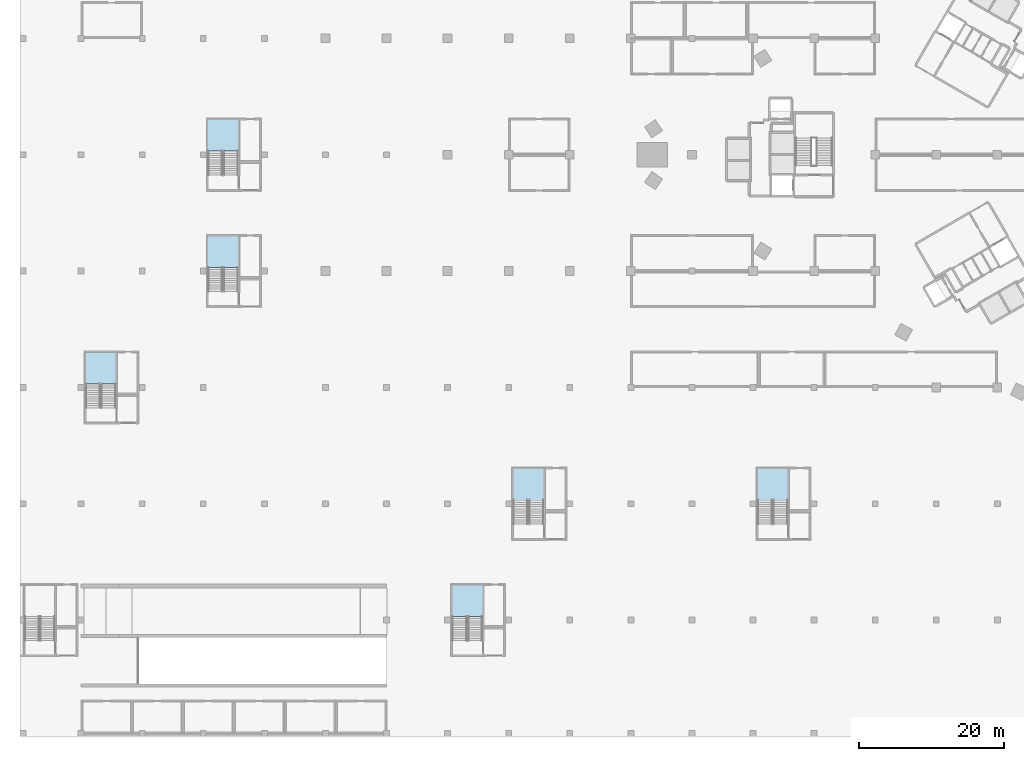
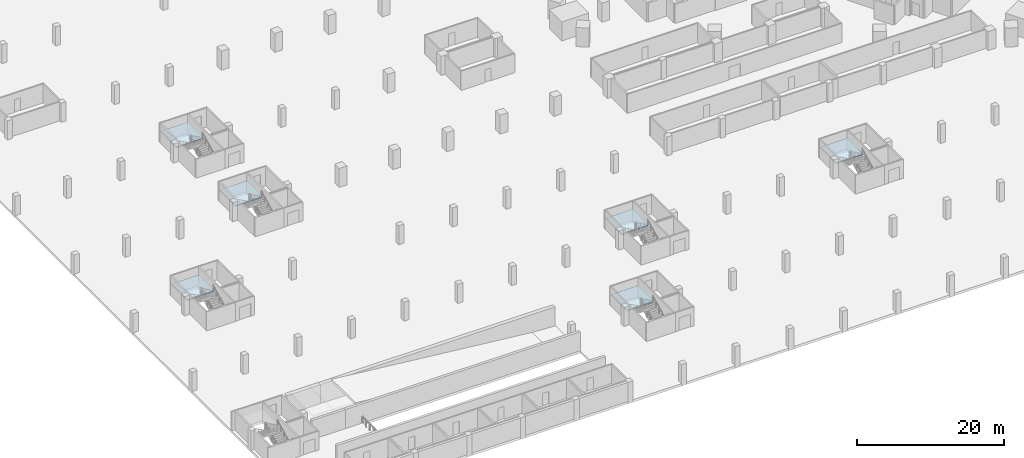
# One storey, part 2 of 37: 6 slabs, 6 elements without a shape of their own.
"""IFC4 building model written with IfcOpenShell, lengths in metres."""

from ifc_helpers import new_model, si_unit, direction, frame, origin, place, context, subcontext, project, spatial, polyline, outline, extrude, material, layer, layer_set, type_object, element, aggregate, save


model = new_model("IFC4")

# Units and contexts
model_context = context("Model", 3, precision=1e-05, world=origin(), true_north=direction((0.0, 1.0)))
body_context = subcontext(model_context, "Body", "Model", "MODEL_VIEW")
ifc_project = project(units=[si_unit("LENGTHUNIT", "METRE"), si_unit("AREAUNIT", "SQUARE_METRE"), si_unit("VOLUMEUNIT", "CUBIC_METRE"), si_unit("PLANEANGLEUNIT", "RADIAN"), si_unit("MASSUNIT", "GRAM", prefix="KILO")], contexts=[model_context])

# Site, building, storey
site_placement = place(None, origin())
site = spatial("IfcSite", under=ifc_project, at=site_placement, CompositionType="ELEMENT")
building_placement = place(site_placement, origin())
building = spatial("IfcBuilding", under=site, at=building_placement, Name="Tamra Quay Hotel Tower", CompositionType="ELEMENT")
storey_placement = place(building_placement, frame((0.0, 0.0, -3.60009765625)))
storey = spatial("IfcBuildingStorey", under=building, at=storey_placement, Name="B1", CompositionType="ELEMENT", Elevation=-3.60009765625)

# Stair, slab
ifc_material_1 = material(Name="Basement exit stair")
stair_type = type_object("IfcStairType", Name="Basement exit stair", PredefinedType="HALF_TURN_STAIR", material=ifc_material_1)
stair_1_placement = place(storey_placement, origin())
stair_1 = element("IfcStair", 1, at=stair_1_placement, inside=storey, type_object=stair_type, Name="B1 Basement Exit Stair BS1", PredefinedType="HALF_TURN_STAIR")
ifc_material_2 = material(Name="Concrete M60", Category="concrete")
ifc_layer = layer(ifc_material_2, 0.199951171875)
ifc_layer_set = layer_set([ifc_layer], Name="Concrete M60 basement stair landing 200")
slab_type = type_object("IfcSlabType", Name="Concrete M60 basement stair landing 200", PredefinedType="LANDING", material=ifc_layer_set)
slab_1_placement = place(storey_placement, frame((0.0, 0.0, 1.60009765625)))
slab_1 = element("IfcSlab", 2, at=slab_1_placement, type_object=slab_type, Name="BS1 landing 1", PredefinedType="LANDING", context=body_context, shape_type="SweptSolid", body=[
    extrude(outline(polyline([(-109.449951171875, -31.52001953125), (-109.449951171875, -27.14990234375), (-113.699951171875, -27.14990234375), (-113.699951171875, -31.52001953125), (-109.449951171875, -31.52001953125)])), origin(), (0.0, 0.0, 1.0), 0.199951171875),
])
aggregate(stair_1, [slab_1])

stair_2_placement = place(storey_placement, origin())
stair_2 = element("IfcStair", 3, at=stair_2_placement, inside=storey, type_object=stair_type, Name="B1 Basement Exit Stair BS3", PredefinedType="HALF_TURN_STAIR")
slab_2_placement = place(storey_placement, frame((0.0, 0.0, 1.60009765625)))
slab_2 = element("IfcSlab", 4, at=slab_2_placement, type_object=slab_type, Name="BS3 landing 1", PredefinedType="LANDING", context=body_context, shape_type="SweptSolid", body=[
    extrude(outline(polyline([(-92.64990234375, -15.52001953125), (-92.64990234375, -11.14990234375), (-96.89990234375, -11.14990234375), (-96.89990234375, -15.52001953125), (-92.64990234375, -15.52001953125)])), origin(), (0.0, 0.0, 1.0), 0.199951171875),
])
aggregate(stair_2, [slab_2])

stair_3_placement = place(storey_placement, origin())
stair_3 = element("IfcStair", 5, at=stair_3_placement, inside=storey, type_object=stair_type, Name="B1 Basement Exit Stair BS4", PredefinedType="HALF_TURN_STAIR")
slab_3_placement = place(storey_placement, frame((0.0, 0.0, 1.60009765625)))
slab_3 = element("IfcSlab", 6, at=slab_3_placement, type_object=slab_type, Name="BS4 landing 1", PredefinedType="LANDING", context=body_context, shape_type="SweptSolid", body=[
    extrude(outline(polyline([(-92.64990234375, 0.47998046875), (-92.64990234375, 4.85009765625), (-96.89990234375, 4.85009765625), (-96.89990234375, 0.47998046875), (-92.64990234375, 0.47998046875)])), origin(), (0.0, 0.0, 1.0), 0.199951171875),
])
aggregate(stair_3, [slab_3])

stair_4_placement = place(storey_placement, origin())
stair_4 = element("IfcStair", 7, at=stair_4_placement, inside=storey, type_object=stair_type, Name="B1 Basement Exit Stair BS6", PredefinedType="HALF_TURN_STAIR")
slab_4_placement = place(storey_placement, frame((0.0, 0.0, 1.60009765625)))
slab_4 = element("IfcSlab", 8, at=slab_4_placement, type_object=slab_type, Name="BS6 landing 1", PredefinedType="LANDING", context=body_context, shape_type="SweptSolid", body=[
    extrude(outline(polyline([(-59.050048828125, -63.52001953125), (-59.050048828125, -59.14990234375), (-63.300048828125, -59.14990234375), (-63.300048828125, -63.52001953125), (-59.050048828125, -63.52001953125)])), origin(), (0.0, 0.0, 1.0), 0.199951171875),
])
aggregate(stair_4, [slab_4])

stair_5_placement = place(storey_placement, origin())
stair_5 = element("IfcStair", 9, at=stair_5_placement, inside=storey, type_object=stair_type, Name="B1 Basement Exit Stair BS8", PredefinedType="HALF_TURN_STAIR")
slab_5_placement = place(storey_placement, frame((0.0, 0.0, 1.60009765625)))
slab_5 = element("IfcSlab", 10, at=slab_5_placement, type_object=slab_type, Name="BS8 landing 1", PredefinedType="LANDING", context=body_context, shape_type="SweptSolid", body=[
    extrude(outline(polyline([(-50.64990234375, -47.52001953125), (-50.64990234375, -43.14990234375), (-54.89990234375, -43.14990234375), (-54.89990234375, -47.52001953125), (-50.64990234375, -47.52001953125)])), origin(), (0.0, 0.0, 1.0), 0.199951171875),
])
aggregate(stair_5, [slab_5])

stair_6_placement = place(storey_placement, origin())
stair_6 = element("IfcStair", 11, at=stair_6_placement, inside=storey, type_object=stair_type, Name="B1 Basement Exit Stair BS10", PredefinedType="HALF_TURN_STAIR")
slab_6_placement = place(storey_placement, frame((0.0, 0.0, 1.60009765625)))
slab_6 = element("IfcSlab", 12, at=slab_6_placement, type_object=slab_type, Name="BS10 landing 1", PredefinedType="LANDING", context=body_context, shape_type="SweptSolid", body=[
    extrude(outline(polyline([(-17.050048828125, -47.52001953125), (-17.050048828125, -43.14990234375), (-21.300048828125, -43.14990234375), (-21.300048828125, -47.52001953125), (-17.050048828125, -47.52001953125)])), origin(), (0.0, 0.0, 1.0), 0.199951171875),
])
aggregate(stair_6, [slab_6])

save(model, "model.ifc")
